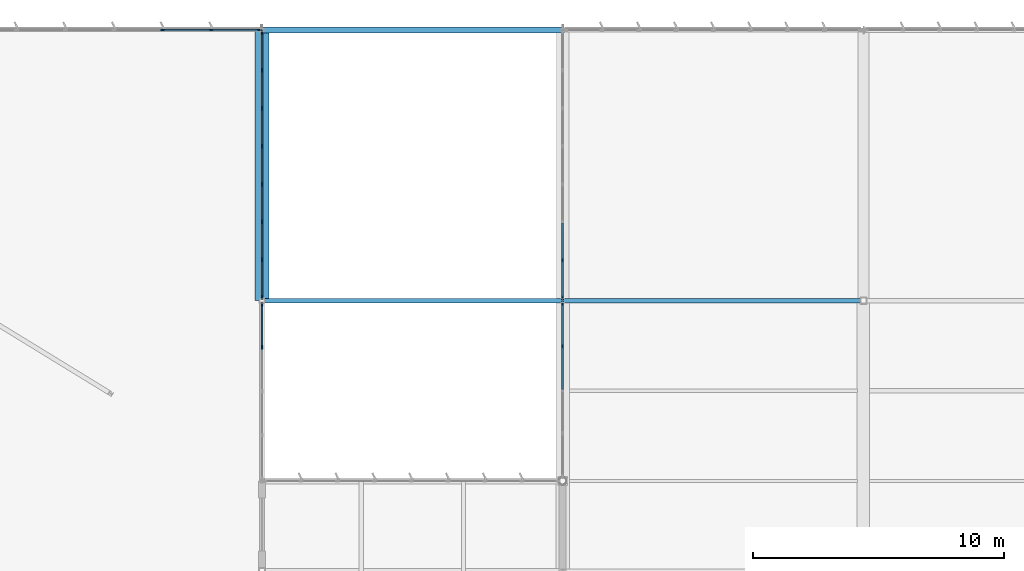
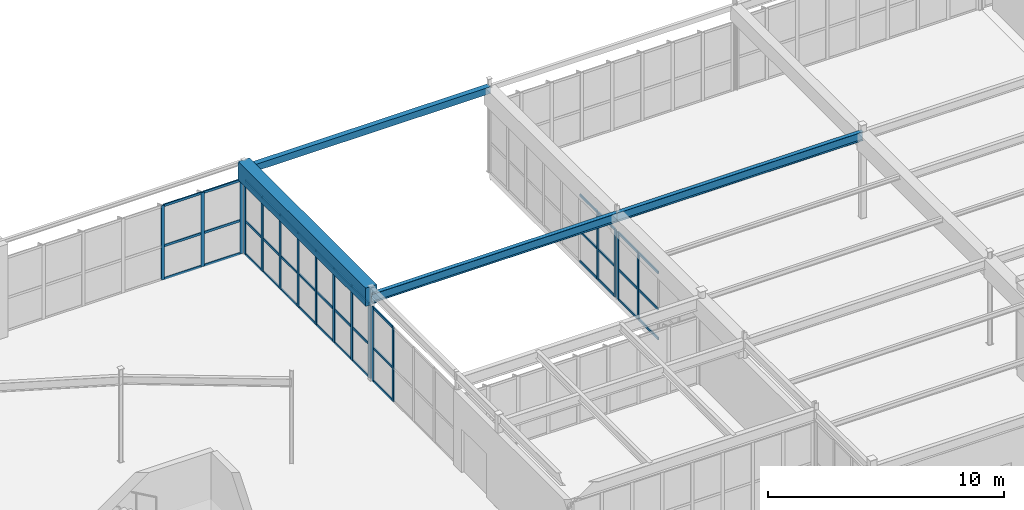
# One storey, part 106 of 186: 59 members, 4 beams, 5 elements without a shape of their own.
"""IFC4 building model written with IfcOpenShell, lengths in metres."""

from ifc_helpers import new_model, si_unit, direction, frame, origin, origin_2d, place, context, subcontext, project, spatial, rectangle, hollow_rectangle, i_section, extrude, material, layer, layer_set, material_profile, profile_set, type_object, element, aggregate, save


model = new_model("IFC4")

# Units and contexts
model_context = context("Model", 3, precision=1e-05, world=origin(), true_north=direction((0.0, 1.0)))
body_context = subcontext(model_context, "Body", "Model", "MODEL_VIEW")
ifc_project = project(units=[si_unit("LENGTHUNIT", "METRE"), si_unit("AREAUNIT", "SQUARE_METRE"), si_unit("VOLUMEUNIT", "CUBIC_METRE"), si_unit("PLANEANGLEUNIT", "RADIAN"), si_unit("MASSUNIT", "GRAM", prefix="KILO")], contexts=[model_context])

# Site, building, storey
site_placement = place(None, origin())
site = spatial("IfcSite", under=ifc_project, at=site_placement, CompositionType="ELEMENT")
building_placement = place(site_placement, origin())
building = spatial("IfcBuilding", under=site, at=building_placement, Name="Tarnwether General Hospital", CompositionType="ELEMENT")
storey_placement = place(building_placement, frame((0.0, 0.0, 9.60009765625)))
storey = spatial("IfcBuildingStorey", under=building, at=storey_placement, Name="L02", CompositionType="ELEMENT", Elevation=9.60009765625)

# Beams
ifc_material_1 = material(Name="Steel Grade 350 (350 MPa)", Category="steel")
ifc_material_profile_1 = material_profile(ifc_material_1, i_section(OverallWidth=0.19091796875, OverallDepth=0.4599609375, WebThickness=0.010009765625, FlangeThickness=0.01611328125, at=origin_2d()), Name="460UB82.1")
ifc_profile_set_1 = profile_set([ifc_material_profile_1], Name="Steel Grade 350 (350 MPa)")
beam_type_1 = type_object("IfcBeamType", Name="BM-G08", PredefinedType="BEAM", material=ifc_profile_set_1)
beam_1_placement = place(storey_placement, frame((132.0, 115.199951171875, 4.21484375), z_axis=(1.0, 0.0, 0.0), x_axis=(0.0, 1.0, 0.0)))
element("IfcBeam", 1, at=beam_1_placement, inside=storey, type_object=beam_type_1, Name="Primary Girder BMG-L02-13200_11520-14400_11520-1564", PredefinedType="BEAM", context=body_context, shape_type="SweptSolid", body=[
    extrude(i_section(OverallWidth=0.19091796875, OverallDepth=0.4599609375, WebThickness=0.010009765625, FlangeThickness=0.01611328125, at=origin_2d()), origin(), (0.0, 0.0, 1.0), 12.0),
])
ifc_material_2 = material(Name="Steel Grade 350 (350 MPa)", Category="steel")
ifc_material_profile_2 = material_profile(ifc_material_2, i_section(OverallWidth=0.18994140625, OverallDepth=0.45703125, WebThickness=0.009033203125, FlangeThickness=0.014404296875, at=origin_2d()), Name="460UB74.6")
ifc_profile_set_2 = profile_set([ifc_material_profile_2], Name="Steel Grade 350 (350 MPa)")
beam_type_2 = type_object("IfcBeamType", Name="BM-G09", PredefinedType="BEAM", material=ifc_profile_set_2)
beam_2_placement = place(storey_placement, frame((144.0, 115.199951171875, 4.21630859375), z_axis=(1.0, 0.0, 0.0), x_axis=(0.0, 1.0, 0.0)))
element("IfcBeam", 2, at=beam_2_placement, inside=storey, type_object=beam_type_2, Name="Primary Girder BMG-L02-14400_11520-15600_11520-1585", PredefinedType="BEAM", context=body_context, shape_type="SweptSolid", body=[
    extrude(i_section(OverallWidth=0.18994140625, OverallDepth=0.45703125, WebThickness=0.009033203125, FlangeThickness=0.014404296875, at=origin_2d()), origin(), (0.0, 0.0, 1.0), 12.0),
])
ifc_material_3 = material(Name="Concrete 40 MPa", Category="concrete")
ifc_material_profile_3 = material_profile(ifc_material_3, rectangle(XDim=0.550048828125, YDim=0.949951171875, at=origin_2d()), Name="RC-BM-550x950")
ifc_profile_set_3 = profile_set([ifc_material_profile_3], Name="Concrete 40 MPa")
beam_type_3 = type_object("IfcBeamType", Name="BM-G11", PredefinedType="BEAM", material=ifc_profile_set_3)
beam_3_placement = place(storey_placement, frame((132.0, 115.199951171875, 4.324951171875), z_axis=(0.0, 1.0, 0.0), x_axis=(-1.0, 0.0, 0.0)))
element("IfcBeam", 3, at=beam_3_placement, inside=storey, type_object=beam_type_3, Name="Primary Girder BMG-L02-13200_11520-13200_12600-1565", PredefinedType="BEAM", context=body_context, shape_type="SweptSolid", body=[
    extrude(rectangle(XDim=0.550048828125, YDim=0.949951171875, at=origin_2d()), origin(), (0.0, 0.0, 1.0), 10.800048828125),
])
ifc_material_4 = material(Name="Steel Grade C350L0 (350 MPa)", Category="steel")
ifc_material_profile_4 = material_profile(ifc_material_4, hollow_rectangle(XDim=0.25, YDim=0.35009765625, WallThickness=0.012451171875, at=origin_2d()), Name="RHS350x250x12.5")
ifc_profile_set_4 = profile_set([ifc_material_profile_4], Name="Steel Grade C350L0 (350 MPa)")
beam_type_4 = type_object("IfcBeamType", Name="BM-SP7", PredefinedType="SPANDREL", material=ifc_profile_set_4)
beam_4_placement = place(storey_placement, frame((132.0, 126.0, 4.27001953125), z_axis=(1.0, 0.0, 0.0), x_axis=(0.0, 1.0, 0.0)))
element("IfcBeam", 4, at=beam_4_placement, inside=storey, type_object=beam_type_4, Name="Primary Girder BMG-L02-13200_12600-14400_12600-1566", PredefinedType="SPANDREL", context=body_context, shape_type="SweptSolid", body=[
    extrude(hollow_rectangle(XDim=0.25, YDim=0.35009765625, WallThickness=0.012451171875, at=origin_2d()), origin(), (0.0, 0.0, 1.0), 12.0),
])

# Curtain wall, members
ifc_material_5 = material(Name="Anodised aluminium", Category="aluminium")
ifc_layer_1 = layer(ifc_material_5, 0.159912109375)
ifc_layer_set_1 = layer_set([ifc_layer_1], Name="Anodised aluminium")
curtain_wall_type_1 = type_object("IfcCurtainWallType", Name="CW-17", PredefinedType="NOTDEFINED", material=ifc_layer_set_1)
curtain_wall_1_placement = place(storey_placement, origin())
curtain_wall_1 = element("IfcCurtainWall", 5, at=curtain_wall_1_placement, inside=storey, type_object=curtain_wall_type_1, Name="Curtain Wall CWG-L02-1203_1260-0408", PredefinedType="NOTDEFINED")
ifc_material_6 = material(Name="Anodised aluminium", Category="aluminium")
ifc_material_profile_5 = material_profile(ifc_material_6, rectangle(XDim=0.06005859375, YDim=0.159912109375, at=origin_2d()), Name="ALU-MUL-60x160")
ifc_profile_set_5 = profile_set([ifc_material_profile_5], Name="Anodised aluminium")
member_type_1 = type_object("IfcMemberType", Name="CW-ML1", PredefinedType="MULLION", material=ifc_profile_set_5)
member_1_placement = place(storey_placement, frame((128.03076171875, 126.0, 0.0), z_axis=(0.0, 0.0, 1.0), x_axis=(0.0, 1.0, 0.0)))
member_1 = element("IfcMember", 6, at=member_1_placement, type_object=member_type_1, Name="CW-17 mullion 5", PredefinedType="MULLION", context=body_context, shape_type="SweptSolid", body=[
    extrude(rectangle(XDim=0.06005859375, YDim=0.159912109375, at=origin_2d()), origin(), (0.0, 0.0, 1.0), 3.8349609375),
])
member_2_placement = place(storey_placement, frame((129.973876953125, 126.0, 0.0), z_axis=(0.0, 0.0, 1.0), x_axis=(0.0, 1.0, 0.0)))
member_2 = element("IfcMember", 7, at=member_2_placement, type_object=member_type_1, Name="CW-17 mullion 6", PredefinedType="MULLION", context=body_context, shape_type="SweptSolid", body=[
    extrude(rectangle(XDim=0.06005859375, YDim=0.159912109375, at=origin_2d()), origin(), (0.0, 0.0, 1.0), 3.8349609375),
])
member_3_placement = place(storey_placement, frame((131.886962890625, 126.0, 0.0), z_axis=(0.0, 0.0, 1.0), x_axis=(0.0, 1.0, 0.0)))
member_3 = element("IfcMember", 8, at=member_3_placement, type_object=member_type_1, Name="CW-17 mullion 7", PredefinedType="MULLION", context=body_context, shape_type="SweptSolid", body=[
    extrude(rectangle(XDim=0.06005859375, YDim=0.159912109375, at=origin_2d()), origin(), (0.0, 0.0, 1.0), 3.8349609375),
])

ifc_material_7 = material(Name="Anodised aluminium", Category="aluminium")
ifc_layer_2 = layer(ifc_material_7, 0.159912109375)
ifc_layer_set_2 = layer_set([ifc_layer_2], Name="Anodised aluminium")
curtain_wall_type_2 = type_object("IfcCurtainWallType", Name="CW-15", PredefinedType="NOTDEFINED", material=ifc_layer_set_2)
curtain_wall_2_placement = place(storey_placement, origin())
curtain_wall_2 = element("IfcCurtainWall", 9, at=curtain_wall_2_placement, inside=storey, type_object=curtain_wall_type_2, Name="Curtain Wall CWG-L02-1320_1259-0448", PredefinedType="NOTDEFINED")
member_4_placement = place(storey_placement, frame((132.0, 125.886962890625, 0.0), z_axis=(0.0, 0.0, 1.0), x_axis=(1.0, 0.0, 0.0)))
member_4 = element("IfcMember", 10, at=member_4_placement, type_object=member_type_1, Name="CW-15 mullion 1", PredefinedType="MULLION", context=body_context, shape_type="SweptSolid", body=[
    extrude(rectangle(XDim=0.06005859375, YDim=0.159912109375, at=origin_2d()), origin(), (0.0, 0.0, 1.0), 3.8349609375),
])
member_5_placement = place(storey_placement, frame((132.0, 124.4013671875, 0.0), z_axis=(0.0, 0.0, 1.0), x_axis=(1.0, 0.0, 0.0)))
member_5 = element("IfcMember", 11, at=member_5_placement, type_object=member_type_1, Name="CW-15 mullion 2", PredefinedType="MULLION", context=body_context, shape_type="SweptSolid", body=[
    extrude(rectangle(XDim=0.06005859375, YDim=0.159912109375, at=origin_2d()), origin(), (0.0, 0.0, 1.0), 3.8349609375),
])
member_6_placement = place(storey_placement, frame((132.0, 122.8857421875, 0.0), z_axis=(0.0, 0.0, 1.0), x_axis=(1.0, 0.0, 0.0)))
member_6 = element("IfcMember", 12, at=member_6_placement, type_object=member_type_1, Name="CW-15 mullion 3", PredefinedType="MULLION", context=body_context, shape_type="SweptSolid", body=[
    extrude(rectangle(XDim=0.06005859375, YDim=0.159912109375, at=origin_2d()), origin(), (0.0, 0.0, 1.0), 3.8349609375),
])
member_7_placement = place(storey_placement, frame((132.0, 121.370361328125, 0.0), z_axis=(0.0, 0.0, 1.0), x_axis=(1.0, 0.0, 0.0)))
member_7 = element("IfcMember", 13, at=member_7_placement, type_object=member_type_1, Name="CW-15 mullion 4", PredefinedType="MULLION", context=body_context, shape_type="SweptSolid", body=[
    extrude(rectangle(XDim=0.06005859375, YDim=0.159912109375, at=origin_2d()), origin(), (0.0, 0.0, 1.0), 3.8349609375),
])
member_8_placement = place(storey_placement, frame((132.0, 119.854736328125, 0.0), z_axis=(0.0, 0.0, 1.0), x_axis=(1.0, 0.0, 0.0)))
member_8 = element("IfcMember", 14, at=member_8_placement, type_object=member_type_1, Name="CW-15 mullion 5", PredefinedType="MULLION", context=body_context, shape_type="SweptSolid", body=[
    extrude(rectangle(XDim=0.06005859375, YDim=0.159912109375, at=origin_2d()), origin(), (0.0, 0.0, 1.0), 3.8349609375),
])
member_9_placement = place(storey_placement, frame((132.0, 118.339111328125, 0.0), z_axis=(0.0, 0.0, 1.0), x_axis=(1.0, 0.0, 0.0)))
member_9 = element("IfcMember", 15, at=member_9_placement, type_object=member_type_1, Name="CW-15 mullion 6", PredefinedType="MULLION", context=body_context, shape_type="SweptSolid", body=[
    extrude(rectangle(XDim=0.06005859375, YDim=0.159912109375, at=origin_2d()), origin(), (0.0, 0.0, 1.0), 3.8349609375),
])
member_10_placement = place(storey_placement, frame((132.0, 116.823486328125, 0.0), z_axis=(0.0, 0.0, 1.0), x_axis=(1.0, 0.0, 0.0)))
member_10 = element("IfcMember", 16, at=member_10_placement, type_object=member_type_1, Name="CW-15 mullion 7", PredefinedType="MULLION", context=body_context, shape_type="SweptSolid", body=[
    extrude(rectangle(XDim=0.06005859375, YDim=0.159912109375, at=origin_2d()), origin(), (0.0, 0.0, 1.0), 3.8349609375),
])
member_11_placement = place(storey_placement, frame((132.0, 115.337890625, 0.0), z_axis=(0.0, 0.0, 1.0), x_axis=(1.0, 0.0, 0.0)))
member_11 = element("IfcMember", 17, at=member_11_placement, type_object=member_type_1, Name="CW-15 mullion 8", PredefinedType="MULLION", context=body_context, shape_type="SweptSolid", body=[
    extrude(rectangle(XDim=0.06005859375, YDim=0.159912109375, at=origin_2d()), origin(), (0.0, 0.0, 1.0), 3.8349609375),
])

curtain_wall_3_placement = place(storey_placement, origin())
curtain_wall_3 = element("IfcCurtainWall", 18, at=curtain_wall_3_placement, inside=storey, type_object=curtain_wall_type_2, Name="Curtain Wall CWG-L02-1320_1151-0449", PredefinedType="NOTDEFINED")
member_12_placement = place(storey_placement, frame((132.0, 115.06201171875, 0.0), z_axis=(0.0, 0.0, 1.0), x_axis=(1.0, 0.0, 0.0)))
member_12 = element("IfcMember", 19, at=member_12_placement, type_object=member_type_1, Name="CW-15 mullion 1", PredefinedType="MULLION", context=body_context, shape_type="SweptSolid", body=[
    extrude(rectangle(XDim=0.06005859375, YDim=0.159912109375, at=origin_2d()), origin(), (0.0, 0.0, 1.0), 3.8349609375),
])
member_13_placement = place(storey_placement, frame((132.0, 113.33642578125, 0.0), z_axis=(0.0, 0.0, 1.0), x_axis=(1.0, 0.0, 0.0)))
member_13 = element("IfcMember", 20, at=member_13_placement, type_object=member_type_1, Name="CW-15 mullion 2", PredefinedType="MULLION", context=body_context, shape_type="SweptSolid", body=[
    extrude(rectangle(XDim=0.06005859375, YDim=0.159912109375, at=origin_2d()), origin(), (0.0, 0.0, 1.0), 3.8349609375),
])

curtain_wall_4_placement = place(storey_placement, origin())
curtain_wall_4 = element("IfcCurtainWall", 21, at=curtain_wall_4_placement, inside=storey, type_object=curtain_wall_type_2, Name="Curtain Wall CWG-L02-1440_1082-0450", PredefinedType="NOTDEFINED")
member_14_placement = place(storey_placement, frame((144.0, 113.37939453125, 0.0), z_axis=(0.0, 0.0, 1.0), x_axis=(-1.0, 0.0, 0.0)))
member_14 = element("IfcMember", 22, at=member_14_placement, type_object=member_type_1, Name="CW-15 mullion 4", PredefinedType="MULLION", context=body_context, shape_type="SweptSolid", body=[
    extrude(rectangle(XDim=0.06005859375, YDim=0.159912109375, at=origin_2d()), origin(), (0.0, 0.0, 1.0), 3.47998046875),
])
member_15_placement = place(storey_placement, frame((144.0, 115.0859375, 0.0), z_axis=(0.0, 0.0, 1.0), x_axis=(-1.0, 0.0, 0.0)))
member_15 = element("IfcMember", 23, at=member_15_placement, type_object=member_type_1, Name="CW-15 mullion 5", PredefinedType="MULLION", context=body_context, shape_type="SweptSolid", body=[
    extrude(rectangle(XDim=0.06005859375, YDim=0.159912109375, at=origin_2d()), origin(), (0.0, 0.0, 1.0), 3.47998046875),
])

curtain_wall_5_placement = place(storey_placement, origin())
curtain_wall_5 = element("IfcCurtainWall", 24, at=curtain_wall_5_placement, inside=storey, type_object=curtain_wall_type_2, Name="Curtain Wall CWG-L02-1440_1153-0451", PredefinedType="NOTDEFINED")
member_16_placement = place(storey_placement, frame((144.0, 115.31396484375, 0.0), z_axis=(0.0, 0.0, 1.0), x_axis=(-1.0, 0.0, 0.0)))
member_16 = element("IfcMember", 25, at=member_16_placement, type_object=member_type_1, Name="CW-15 mullion 1", PredefinedType="MULLION", context=body_context, shape_type="SweptSolid", body=[
    extrude(rectangle(XDim=0.06005859375, YDim=0.159912109375, at=origin_2d()), origin(), (0.0, 0.0, 1.0), 3.47998046875),
])
member_17_placement = place(storey_placement, frame((144.0, 116.802978515625, 0.0), z_axis=(0.0, 0.0, 1.0), x_axis=(-1.0, 0.0, 0.0)))
member_17 = element("IfcMember", 26, at=member_17_placement, type_object=member_type_1, Name="CW-15 mullion 2", PredefinedType="MULLION", context=body_context, shape_type="SweptSolid", body=[
    extrude(rectangle(XDim=0.06005859375, YDim=0.159912109375, at=origin_2d()), origin(), (0.0, 0.0, 1.0), 3.47998046875),
])

# Member
ifc_material_8 = material(Name="Anodised aluminium", Category="aluminium")
ifc_material_profile_6 = material_profile(ifc_material_8, rectangle(XDim=0.06005859375, YDim=0.1201171875, at=origin_2d()), Name="ALU-TRN-60x120")
ifc_profile_set_6 = profile_set([ifc_material_profile_6], Name="Anodised aluminium")
member_type_2 = type_object("IfcMemberType", Name="CW-TR1", PredefinedType="USERDEFINED", material=ifc_profile_set_6)
member_18_placement = place(storey_placement, frame((128.060546875, 126.0, 0.02978515625), z_axis=(1.0, 0.0, 0.0), x_axis=(0.0, 1.0, 0.0)))
member_18 = element("IfcMember", 27, at=member_18_placement, type_object=member_type_2, Name="CW-17 transom 5.1", ObjectType="TRANSOM", PredefinedType="USERDEFINED", context=body_context, shape_type="SweptSolid", body=[
    extrude(rectangle(XDim=0.06005859375, YDim=0.1201171875, at=origin_2d()), origin(), (0.0, 0.0, 1.0), 1.88330078125),
])

member_19_placement = place(storey_placement, frame((128.060546875, 126.0, 1.7255859375), z_axis=(1.0, 0.0, 0.0), x_axis=(0.0, 1.0, 0.0)))
member_19 = element("IfcMember", 28, at=member_19_placement, type_object=member_type_2, Name="CW-17 transom 5.2", ObjectType="TRANSOM", PredefinedType="USERDEFINED", context=body_context, shape_type="SweptSolid", body=[
    extrude(rectangle(XDim=0.06005859375, YDim=0.1201171875, at=origin_2d()), origin(), (0.0, 0.0, 1.0), 1.88330078125),
])

member_20_placement = place(storey_placement, frame((128.060546875, 126.0, 3.804931640625), z_axis=(1.0, 0.0, 0.0), x_axis=(0.0, 1.0, 0.0)))
member_20 = element("IfcMember", 29, at=member_20_placement, type_object=member_type_2, Name="CW-17 transom 5.3", ObjectType="TRANSOM", PredefinedType="USERDEFINED", context=body_context, shape_type="SweptSolid", body=[
    extrude(rectangle(XDim=0.06005859375, YDim=0.1201171875, at=origin_2d()), origin(), (0.0, 0.0, 1.0), 1.88330078125),
])

member_21_placement = place(storey_placement, frame((130.00390625, 126.0, 0.02978515625), z_axis=(1.0, 0.0, 0.0), x_axis=(0.0, 1.0, 0.0)))
member_21 = element("IfcMember", 30, at=member_21_placement, type_object=member_type_2, Name="CW-17 transom 6.1", ObjectType="TRANSOM", PredefinedType="USERDEFINED", context=body_context, shape_type="SweptSolid", body=[
    extrude(rectangle(XDim=0.06005859375, YDim=0.1201171875, at=origin_2d()), origin(), (0.0, 0.0, 1.0), 1.85302734375),
])

member_22_placement = place(storey_placement, frame((130.00390625, 126.0, 1.7255859375), z_axis=(1.0, 0.0, 0.0), x_axis=(0.0, 1.0, 0.0)))
member_22 = element("IfcMember", 31, at=member_22_placement, type_object=member_type_2, Name="CW-17 transom 6.2", ObjectType="TRANSOM", PredefinedType="USERDEFINED", context=body_context, shape_type="SweptSolid", body=[
    extrude(rectangle(XDim=0.06005859375, YDim=0.1201171875, at=origin_2d()), origin(), (0.0, 0.0, 1.0), 1.85302734375),
])

member_23_placement = place(storey_placement, frame((130.00390625, 126.0, 3.804931640625), z_axis=(1.0, 0.0, 0.0), x_axis=(0.0, 1.0, 0.0)))
member_23 = element("IfcMember", 32, at=member_23_placement, type_object=member_type_2, Name="CW-17 transom 6.3", ObjectType="TRANSOM", PredefinedType="USERDEFINED", context=body_context, shape_type="SweptSolid", body=[
    extrude(rectangle(XDim=0.06005859375, YDim=0.1201171875, at=origin_2d()), origin(), (0.0, 0.0, 1.0), 1.85302734375),
])

aggregate(curtain_wall_1, [member_1, member_2, member_3, member_18, member_19, member_20, member_21, member_22, member_23])

member_24_placement = place(storey_placement, frame((132.0, 125.85693359375, 0.02978515625), z_axis=(0.0, -1.0, 0.0), x_axis=(1.0, 0.0, 0.0)))
member_24 = element("IfcMember", 33, at=member_24_placement, type_object=member_type_2, Name="CW-15 transom 1.1", ObjectType="TRANSOM", PredefinedType="USERDEFINED", context=body_context, shape_type="SweptSolid", body=[
    extrude(rectangle(XDim=0.06005859375, YDim=0.1201171875, at=origin_2d()), origin(), (0.0, 0.0, 1.0), 1.425537109375),
])

member_25_placement = place(storey_placement, frame((132.0, 125.85693359375, 1.7255859375), z_axis=(0.0, -1.0, 0.0), x_axis=(1.0, 0.0, 0.0)))
member_25 = element("IfcMember", 34, at=member_25_placement, type_object=member_type_2, Name="CW-15 transom 1.2", ObjectType="TRANSOM", PredefinedType="USERDEFINED", context=body_context, shape_type="SweptSolid", body=[
    extrude(rectangle(XDim=0.06005859375, YDim=0.1201171875, at=origin_2d()), origin(), (0.0, 0.0, 1.0), 1.425537109375),
])

member_26_placement = place(storey_placement, frame((132.0, 125.85693359375, 3.804931640625), z_axis=(0.0, -1.0, 0.0), x_axis=(1.0, 0.0, 0.0)))
member_26 = element("IfcMember", 35, at=member_26_placement, type_object=member_type_2, Name="CW-15 transom 1.3", ObjectType="TRANSOM", PredefinedType="USERDEFINED", context=body_context, shape_type="SweptSolid", body=[
    extrude(rectangle(XDim=0.06005859375, YDim=0.1201171875, at=origin_2d()), origin(), (0.0, 0.0, 1.0), 1.425537109375),
])

member_27_placement = place(storey_placement, frame((132.0, 124.371337890625, 0.02978515625), z_axis=(0.0, -1.0, 0.0), x_axis=(1.0, 0.0, 0.0)))
member_27 = element("IfcMember", 36, at=member_27_placement, type_object=member_type_2, Name="CW-15 transom 2.1", ObjectType="TRANSOM", PredefinedType="USERDEFINED", context=body_context, shape_type="SweptSolid", body=[
    extrude(rectangle(XDim=0.06005859375, YDim=0.1201171875, at=origin_2d()), origin(), (0.0, 0.0, 1.0), 1.45556640625),
])

member_28_placement = place(storey_placement, frame((132.0, 124.371337890625, 1.7255859375), z_axis=(0.0, -1.0, 0.0), x_axis=(1.0, 0.0, 0.0)))
member_28 = element("IfcMember", 37, at=member_28_placement, type_object=member_type_2, Name="CW-15 transom 2.2", ObjectType="TRANSOM", PredefinedType="USERDEFINED", context=body_context, shape_type="SweptSolid", body=[
    extrude(rectangle(XDim=0.06005859375, YDim=0.1201171875, at=origin_2d()), origin(), (0.0, 0.0, 1.0), 1.45556640625),
])

member_29_placement = place(storey_placement, frame((132.0, 124.371337890625, 3.804931640625), z_axis=(0.0, -1.0, 0.0), x_axis=(1.0, 0.0, 0.0)))
member_29 = element("IfcMember", 38, at=member_29_placement, type_object=member_type_2, Name="CW-15 transom 2.3", ObjectType="TRANSOM", PredefinedType="USERDEFINED", context=body_context, shape_type="SweptSolid", body=[
    extrude(rectangle(XDim=0.06005859375, YDim=0.1201171875, at=origin_2d()), origin(), (0.0, 0.0, 1.0), 1.45556640625),
])

member_30_placement = place(storey_placement, frame((132.0, 122.85595703125, 0.02978515625), z_axis=(0.0, -1.0, 0.0), x_axis=(1.0, 0.0, 0.0)))
member_30 = element("IfcMember", 39, at=member_30_placement, type_object=member_type_2, Name="CW-15 transom 3.1", ObjectType="TRANSOM", PredefinedType="USERDEFINED", context=body_context, shape_type="SweptSolid", body=[
    extrude(rectangle(XDim=0.06005859375, YDim=0.1201171875, at=origin_2d()), origin(), (0.0, 0.0, 1.0), 1.45556640625),
])

member_31_placement = place(storey_placement, frame((132.0, 122.85595703125, 1.7255859375), z_axis=(0.0, -1.0, 0.0), x_axis=(1.0, 0.0, 0.0)))
member_31 = element("IfcMember", 40, at=member_31_placement, type_object=member_type_2, Name="CW-15 transom 3.2", ObjectType="TRANSOM", PredefinedType="USERDEFINED", context=body_context, shape_type="SweptSolid", body=[
    extrude(rectangle(XDim=0.06005859375, YDim=0.1201171875, at=origin_2d()), origin(), (0.0, 0.0, 1.0), 1.45556640625),
])

member_32_placement = place(storey_placement, frame((132.0, 122.85595703125, 3.804931640625), z_axis=(0.0, -1.0, 0.0), x_axis=(1.0, 0.0, 0.0)))
member_32 = element("IfcMember", 41, at=member_32_placement, type_object=member_type_2, Name="CW-15 transom 3.3", ObjectType="TRANSOM", PredefinedType="USERDEFINED", context=body_context, shape_type="SweptSolid", body=[
    extrude(rectangle(XDim=0.06005859375, YDim=0.1201171875, at=origin_2d()), origin(), (0.0, 0.0, 1.0), 1.45556640625),
])

member_33_placement = place(storey_placement, frame((132.0, 121.34033203125, 0.02978515625), z_axis=(0.0, -1.0, 0.0), x_axis=(1.0, 0.0, 0.0)))
member_33 = element("IfcMember", 42, at=member_33_placement, type_object=member_type_2, Name="CW-15 transom 4.1", ObjectType="TRANSOM", PredefinedType="USERDEFINED", context=body_context, shape_type="SweptSolid", body=[
    extrude(rectangle(XDim=0.06005859375, YDim=0.1201171875, at=origin_2d()), origin(), (0.0, 0.0, 1.0), 1.45556640625),
])

member_34_placement = place(storey_placement, frame((132.0, 121.34033203125, 1.7255859375), z_axis=(0.0, -1.0, 0.0), x_axis=(1.0, 0.0, 0.0)))
member_34 = element("IfcMember", 43, at=member_34_placement, type_object=member_type_2, Name="CW-15 transom 4.2", ObjectType="TRANSOM", PredefinedType="USERDEFINED", context=body_context, shape_type="SweptSolid", body=[
    extrude(rectangle(XDim=0.06005859375, YDim=0.1201171875, at=origin_2d()), origin(), (0.0, 0.0, 1.0), 1.45556640625),
])

member_35_placement = place(storey_placement, frame((132.0, 121.34033203125, 3.804931640625), z_axis=(0.0, -1.0, 0.0), x_axis=(1.0, 0.0, 0.0)))
member_35 = element("IfcMember", 44, at=member_35_placement, type_object=member_type_2, Name="CW-15 transom 4.3", ObjectType="TRANSOM", PredefinedType="USERDEFINED", context=body_context, shape_type="SweptSolid", body=[
    extrude(rectangle(XDim=0.06005859375, YDim=0.1201171875, at=origin_2d()), origin(), (0.0, 0.0, 1.0), 1.45556640625),
])

member_36_placement = place(storey_placement, frame((132.0, 119.82470703125, 0.02978515625), z_axis=(0.0, -1.0, 0.0), x_axis=(1.0, 0.0, 0.0)))
member_36 = element("IfcMember", 45, at=member_36_placement, type_object=member_type_2, Name="CW-15 transom 5.1", ObjectType="TRANSOM", PredefinedType="USERDEFINED", context=body_context, shape_type="SweptSolid", body=[
    extrude(rectangle(XDim=0.06005859375, YDim=0.1201171875, at=origin_2d()), origin(), (0.0, 0.0, 1.0), 1.45556640625),
])

member_37_placement = place(storey_placement, frame((132.0, 119.82470703125, 1.7255859375), z_axis=(0.0, -1.0, 0.0), x_axis=(1.0, 0.0, 0.0)))
member_37 = element("IfcMember", 46, at=member_37_placement, type_object=member_type_2, Name="CW-15 transom 5.2", ObjectType="TRANSOM", PredefinedType="USERDEFINED", context=body_context, shape_type="SweptSolid", body=[
    extrude(rectangle(XDim=0.06005859375, YDim=0.1201171875, at=origin_2d()), origin(), (0.0, 0.0, 1.0), 1.45556640625),
])

member_38_placement = place(storey_placement, frame((132.0, 119.82470703125, 3.804931640625), z_axis=(0.0, -1.0, 0.0), x_axis=(1.0, 0.0, 0.0)))
member_38 = element("IfcMember", 47, at=member_38_placement, type_object=member_type_2, Name="CW-15 transom 5.3", ObjectType="TRANSOM", PredefinedType="USERDEFINED", context=body_context, shape_type="SweptSolid", body=[
    extrude(rectangle(XDim=0.06005859375, YDim=0.1201171875, at=origin_2d()), origin(), (0.0, 0.0, 1.0), 1.45556640625),
])

member_39_placement = place(storey_placement, frame((132.0, 118.30908203125, 0.02978515625), z_axis=(0.0, -1.0, 0.0), x_axis=(1.0, 0.0, 0.0)))
member_39 = element("IfcMember", 48, at=member_39_placement, type_object=member_type_2, Name="CW-15 transom 6.1", ObjectType="TRANSOM", PredefinedType="USERDEFINED", context=body_context, shape_type="SweptSolid", body=[
    extrude(rectangle(XDim=0.06005859375, YDim=0.1201171875, at=origin_2d()), origin(), (0.0, 0.0, 1.0), 1.45556640625),
])

member_40_placement = place(storey_placement, frame((132.0, 118.30908203125, 1.7255859375), z_axis=(0.0, -1.0, 0.0), x_axis=(1.0, 0.0, 0.0)))
member_40 = element("IfcMember", 49, at=member_40_placement, type_object=member_type_2, Name="CW-15 transom 6.2", ObjectType="TRANSOM", PredefinedType="USERDEFINED", context=body_context, shape_type="SweptSolid", body=[
    extrude(rectangle(XDim=0.06005859375, YDim=0.1201171875, at=origin_2d()), origin(), (0.0, 0.0, 1.0), 1.45556640625),
])

member_41_placement = place(storey_placement, frame((132.0, 118.30908203125, 3.804931640625), z_axis=(0.0, -1.0, 0.0), x_axis=(1.0, 0.0, 0.0)))
member_41 = element("IfcMember", 50, at=member_41_placement, type_object=member_type_2, Name="CW-15 transom 6.3", ObjectType="TRANSOM", PredefinedType="USERDEFINED", context=body_context, shape_type="SweptSolid", body=[
    extrude(rectangle(XDim=0.06005859375, YDim=0.1201171875, at=origin_2d()), origin(), (0.0, 0.0, 1.0), 1.45556640625),
])

member_42_placement = place(storey_placement, frame((132.0, 116.79345703125, 0.02978515625), z_axis=(0.0, -1.0, 0.0), x_axis=(1.0, 0.0, 0.0)))
member_42 = element("IfcMember", 51, at=member_42_placement, type_object=member_type_2, Name="CW-15 transom 7.1", ObjectType="TRANSOM", PredefinedType="USERDEFINED", context=body_context, shape_type="SweptSolid", body=[
    extrude(rectangle(XDim=0.06005859375, YDim=0.1201171875, at=origin_2d()), origin(), (0.0, 0.0, 1.0), 1.425537109375),
])

member_43_placement = place(storey_placement, frame((132.0, 116.79345703125, 1.7255859375), z_axis=(0.0, -1.0, 0.0), x_axis=(1.0, 0.0, 0.0)))
member_43 = element("IfcMember", 52, at=member_43_placement, type_object=member_type_2, Name="CW-15 transom 7.2", ObjectType="TRANSOM", PredefinedType="USERDEFINED", context=body_context, shape_type="SweptSolid", body=[
    extrude(rectangle(XDim=0.06005859375, YDim=0.1201171875, at=origin_2d()), origin(), (0.0, 0.0, 1.0), 1.425537109375),
])

member_44_placement = place(storey_placement, frame((132.0, 116.79345703125, 3.804931640625), z_axis=(0.0, -1.0, 0.0), x_axis=(1.0, 0.0, 0.0)))
member_44 = element("IfcMember", 53, at=member_44_placement, type_object=member_type_2, Name="CW-15 transom 7.3", ObjectType="TRANSOM", PredefinedType="USERDEFINED", context=body_context, shape_type="SweptSolid", body=[
    extrude(rectangle(XDim=0.06005859375, YDim=0.1201171875, at=origin_2d()), origin(), (0.0, 0.0, 1.0), 1.425537109375),
])

aggregate(curtain_wall_2, [member_4, member_5, member_6, member_7, member_8, member_9, member_10, member_11, member_24, member_25, member_26, member_27, member_28, member_29, member_30, member_31, member_32, member_33, member_34, member_35, member_36, member_37, member_38, member_39, member_40, member_41, member_42, member_43, member_44])

member_45_placement = place(storey_placement, frame((132.0, 115.031982421875, 0.02978515625), z_axis=(0.0, -1.0, 0.0), x_axis=(1.0, 0.0, 0.0)))
member_45 = element("IfcMember", 54, at=member_45_placement, type_object=member_type_2, Name="CW-15 transom 1.1", ObjectType="TRANSOM", PredefinedType="USERDEFINED", context=body_context, shape_type="SweptSolid", body=[
    extrude(rectangle(XDim=0.06005859375, YDim=0.1201171875, at=origin_2d()), origin(), (0.0, 0.0, 1.0), 1.66552734375),
])

member_46_placement = place(storey_placement, frame((132.0, 115.031982421875, 1.7255859375), z_axis=(0.0, -1.0, 0.0), x_axis=(1.0, 0.0, 0.0)))
member_46 = element("IfcMember", 55, at=member_46_placement, type_object=member_type_2, Name="CW-15 transom 1.2", ObjectType="TRANSOM", PredefinedType="USERDEFINED", context=body_context, shape_type="SweptSolid", body=[
    extrude(rectangle(XDim=0.06005859375, YDim=0.1201171875, at=origin_2d()), origin(), (0.0, 0.0, 1.0), 1.66552734375),
])

member_47_placement = place(storey_placement, frame((132.0, 115.031982421875, 3.804931640625), z_axis=(0.0, -1.0, 0.0), x_axis=(1.0, 0.0, 0.0)))
member_47 = element("IfcMember", 56, at=member_47_placement, type_object=member_type_2, Name="CW-15 transom 1.3", ObjectType="TRANSOM", PredefinedType="USERDEFINED", context=body_context, shape_type="SweptSolid", body=[
    extrude(rectangle(XDim=0.06005859375, YDim=0.1201171875, at=origin_2d()), origin(), (0.0, 0.0, 1.0), 1.66552734375),
])

aggregate(curtain_wall_3, [member_12, member_13, member_45, member_46, member_47])

member_48_placement = place(storey_placement, frame((144.0, 111.673095703125, 0.02978515625), z_axis=(0.0, 1.0, 0.0), x_axis=(-1.0, 0.0, 0.0)))
member_48 = element("IfcMember", 57, at=member_48_placement, type_object=member_type_2, Name="CW-15 transom 3.1", ObjectType="TRANSOM", PredefinedType="USERDEFINED", context=body_context, shape_type="SweptSolid", body=[
    extrude(rectangle(XDim=0.06005859375, YDim=0.1201171875, at=origin_2d()), origin(), (0.0, 0.0, 1.0), 1.676513671875),
])

member_49_placement = place(storey_placement, frame((144.0, 111.673095703125, 1.56591796875), z_axis=(0.0, 1.0, 0.0), x_axis=(-1.0, 0.0, 0.0)))
member_49 = element("IfcMember", 58, at=member_49_placement, type_object=member_type_2, Name="CW-15 transom 3.2", ObjectType="TRANSOM", PredefinedType="USERDEFINED", context=body_context, shape_type="SweptSolid", body=[
    extrude(rectangle(XDim=0.06005859375, YDim=0.1201171875, at=origin_2d()), origin(), (0.0, 0.0, 1.0), 1.676513671875),
])

member_50_placement = place(storey_placement, frame((144.0, 111.673095703125, 3.449951171875), z_axis=(0.0, 1.0, 0.0), x_axis=(-1.0, 0.0, 0.0)))
member_50 = element("IfcMember", 59, at=member_50_placement, type_object=member_type_2, Name="CW-15 transom 3.3", ObjectType="TRANSOM", PredefinedType="USERDEFINED", context=body_context, shape_type="SweptSolid", body=[
    extrude(rectangle(XDim=0.06005859375, YDim=0.1201171875, at=origin_2d()), origin(), (0.0, 0.0, 1.0), 1.676513671875),
])

member_51_placement = place(storey_placement, frame((144.0, 113.409423828125, 0.02978515625), z_axis=(0.0, 1.0, 0.0), x_axis=(-1.0, 0.0, 0.0)))
member_51 = element("IfcMember", 60, at=member_51_placement, type_object=member_type_2, Name="CW-15 transom 4.1", ObjectType="TRANSOM", PredefinedType="USERDEFINED", context=body_context, shape_type="SweptSolid", body=[
    extrude(rectangle(XDim=0.06005859375, YDim=0.1201171875, at=origin_2d()), origin(), (0.0, 0.0, 1.0), 1.646484375),
])

member_52_placement = place(storey_placement, frame((144.0, 113.409423828125, 1.56591796875), z_axis=(0.0, 1.0, 0.0), x_axis=(-1.0, 0.0, 0.0)))
member_52 = element("IfcMember", 61, at=member_52_placement, type_object=member_type_2, Name="CW-15 transom 4.2", ObjectType="TRANSOM", PredefinedType="USERDEFINED", context=body_context, shape_type="SweptSolid", body=[
    extrude(rectangle(XDim=0.06005859375, YDim=0.1201171875, at=origin_2d()), origin(), (0.0, 0.0, 1.0), 1.646484375),
])

member_53_placement = place(storey_placement, frame((144.0, 113.409423828125, 3.449951171875), z_axis=(0.0, 1.0, 0.0), x_axis=(-1.0, 0.0, 0.0)))
member_53 = element("IfcMember", 62, at=member_53_placement, type_object=member_type_2, Name="CW-15 transom 4.3", ObjectType="TRANSOM", PredefinedType="USERDEFINED", context=body_context, shape_type="SweptSolid", body=[
    extrude(rectangle(XDim=0.06005859375, YDim=0.1201171875, at=origin_2d()), origin(), (0.0, 0.0, 1.0), 1.646484375),
])

aggregate(curtain_wall_4, [member_14, member_15, member_48, member_49, member_50, member_51, member_52, member_53])

member_54_placement = place(storey_placement, frame((144.0, 115.343994140625, 0.02978515625), z_axis=(0.0, 1.0, 0.0), x_axis=(-1.0, 0.0, 0.0)))
member_54 = element("IfcMember", 63, at=member_54_placement, type_object=member_type_2, Name="CW-15 transom 1.1", ObjectType="TRANSOM", PredefinedType="USERDEFINED", context=body_context, shape_type="SweptSolid", body=[
    extrude(rectangle(XDim=0.06005859375, YDim=0.1201171875, at=origin_2d()), origin(), (0.0, 0.0, 1.0), 1.428955078125),
])

member_55_placement = place(storey_placement, frame((144.0, 115.343994140625, 1.56591796875), z_axis=(0.0, 1.0, 0.0), x_axis=(-1.0, 0.0, 0.0)))
member_55 = element("IfcMember", 64, at=member_55_placement, type_object=member_type_2, Name="CW-15 transom 1.2", ObjectType="TRANSOM", PredefinedType="USERDEFINED", context=body_context, shape_type="SweptSolid", body=[
    extrude(rectangle(XDim=0.06005859375, YDim=0.1201171875, at=origin_2d()), origin(), (0.0, 0.0, 1.0), 1.428955078125),
])

member_56_placement = place(storey_placement, frame((144.0, 115.343994140625, 3.449951171875), z_axis=(0.0, 1.0, 0.0), x_axis=(-1.0, 0.0, 0.0)))
member_56 = element("IfcMember", 65, at=member_56_placement, type_object=member_type_2, Name="CW-15 transom 1.3", ObjectType="TRANSOM", PredefinedType="USERDEFINED", context=body_context, shape_type="SweptSolid", body=[
    extrude(rectangle(XDim=0.06005859375, YDim=0.1201171875, at=origin_2d()), origin(), (0.0, 0.0, 1.0), 1.428955078125),
])

member_57_placement = place(storey_placement, frame((144.0, 116.8330078125, 0.02978515625), z_axis=(0.0, 1.0, 0.0), x_axis=(-1.0, 0.0, 0.0)))
member_57 = element("IfcMember", 66, at=member_57_placement, type_object=member_type_2, Name="CW-15 transom 2.1", ObjectType="TRANSOM", PredefinedType="USERDEFINED", context=body_context, shape_type="SweptSolid", body=[
    extrude(rectangle(XDim=0.06005859375, YDim=0.1201171875, at=origin_2d()), origin(), (0.0, 0.0, 1.0), 1.458984375),
])

member_58_placement = place(storey_placement, frame((144.0, 116.8330078125, 1.56591796875), z_axis=(0.0, 1.0, 0.0), x_axis=(-1.0, 0.0, 0.0)))
member_58 = element("IfcMember", 67, at=member_58_placement, type_object=member_type_2, Name="CW-15 transom 2.2", ObjectType="TRANSOM", PredefinedType="USERDEFINED", context=body_context, shape_type="SweptSolid", body=[
    extrude(rectangle(XDim=0.06005859375, YDim=0.1201171875, at=origin_2d()), origin(), (0.0, 0.0, 1.0), 1.458984375),
])

member_59_placement = place(storey_placement, frame((144.0, 116.8330078125, 3.449951171875), z_axis=(0.0, 1.0, 0.0), x_axis=(-1.0, 0.0, 0.0)))
member_59 = element("IfcMember", 68, at=member_59_placement, type_object=member_type_2, Name="CW-15 transom 2.3", ObjectType="TRANSOM", PredefinedType="USERDEFINED", context=body_context, shape_type="SweptSolid", body=[
    extrude(rectangle(XDim=0.06005859375, YDim=0.1201171875, at=origin_2d()), origin(), (0.0, 0.0, 1.0), 1.458984375),
])

aggregate(curtain_wall_5, [member_16, member_17, member_54, member_55, member_56, member_57, member_58, member_59])

save(model, "model.ifc")
